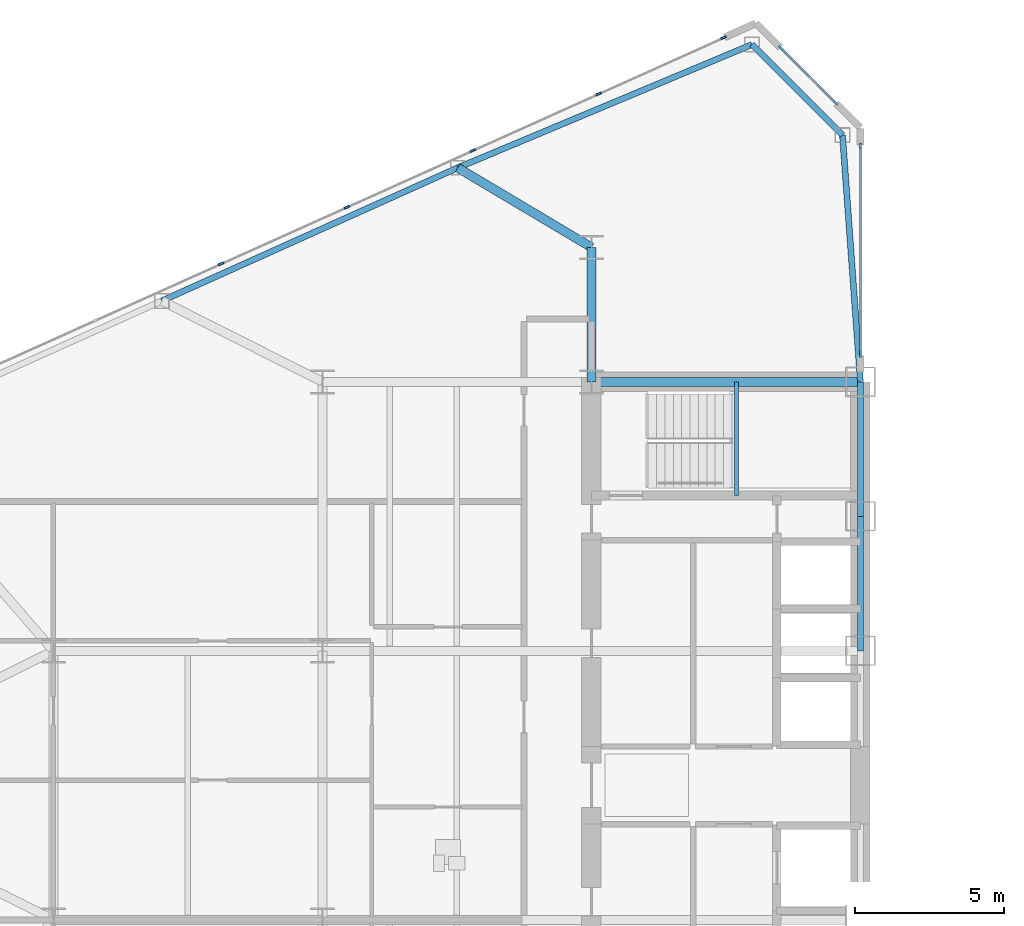
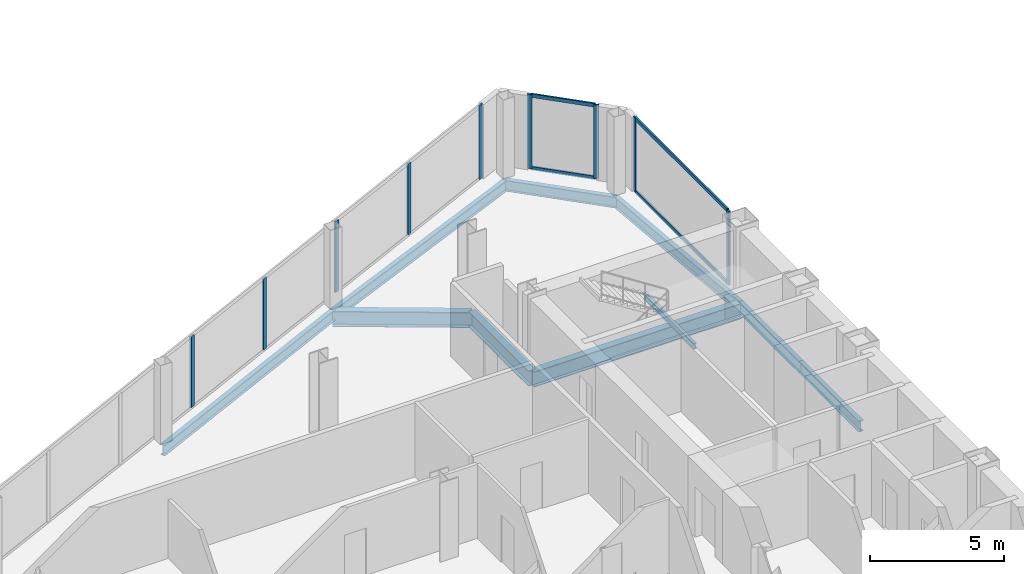
# One storey, part 9 of 27: 13 members, 10 beams, 3 elements without a shape of their own.
"""IFC4 building model written with IfcOpenShell, lengths in metres."""

from ifc_helpers import new_model, si_unit, direction, frame, origin, origin_2d, place, context, subcontext, project, spatial, rectangle, i_section, extrude, source, transform, mapped, material, layer, layer_set, material_profile, profile_set, type_object, type_shapes, element, aggregate, save


model = new_model("IFC4")

# Units and contexts
model_context = context("Model", 3, precision=1e-05, world=origin(), true_north=direction((0.0, 1.0)))
body_context = subcontext(model_context, "Body", "Model", "MODEL_VIEW")
ifc_project = project(units=[si_unit("LENGTHUNIT", "METRE"), si_unit("AREAUNIT", "SQUARE_METRE"), si_unit("VOLUMEUNIT", "CUBIC_METRE"), si_unit("PLANEANGLEUNIT", "RADIAN"), si_unit("MASSUNIT", "GRAM", prefix="KILO")], contexts=[model_context])

# Site, building, storey
site_placement = place(None, origin())
site = spatial("IfcSite", under=ifc_project, at=site_placement, CompositionType="ELEMENT")
building_placement = place(site_placement, origin())
building = spatial("IfcBuilding", under=site, at=building_placement, Name="Seokmaru Belvedere", CompositionType="ELEMENT")
storey_placement = place(building_placement, frame((0.0, 0.0, 65.699951171875)))
storey = spatial("IfcBuildingStorey", under=building, at=storey_placement, Name="L17", CompositionType="ELEMENT", Elevation=65.699951171875)

# Beams
ifc_material_1 = material(Name="Steel SM355 (355 MPa)", Category="steel")
ifc_material_profile_1 = material_profile(ifc_material_1, i_section(OverallWidth=0.199951171875, OverallDepth=0.5, WebThickness=0.010009765625, FlangeThickness=0.01611328125, at=origin_2d()), Name="H-500x200x10x16")
ifc_profile_set_1 = profile_set([ifc_material_profile_1], Name="Steel SM355 (355 MPa)")
beam_type_1 = type_object("IfcBeamType", Name="Perimeter Spandrel Beam H-500", PredefinedType="SPANDREL", material=ifc_profile_set_1)
shared_shape_1 = source(origin(), body_context, "Body", "SweptSolid", [
    extrude(i_section(OverallWidth=0.199951171875, OverallDepth=0.5, WebThickness=0.010009765625, FlangeThickness=0.01611328125, at=origin_2d()), origin(), (0.0, 0.0, 1.0), 4.5),
])
for number, where, z_axis, x_axis, name in (
    (1, (-27.5, 4.5, -0.469970703125), (0.0, 1.0, 0.0), (-1.0, 0.0, 0.0), "L17 W Portal Spine Spandrel 4"),
    (2, (-27.5, 9.0, -0.469970703125), (0.0, 1.0, 0.0), (-1.0, 0.0, 0.0), "L17 W Portal Spine Spandrel 5"),
):
    element("IfcBeam", number, at=place(storey_placement, frame(where, z_axis=z_axis, x_axis=x_axis)), inside=storey, type_object=beam_type_1, Name=name, PredefinedType="SPANDREL", context=body_context, shape_type="MappedRepresentation", body=[
        mapped(shared_shape_1, transform((0.0, 0.0, 0.0), scale=1.0)),
    ])
ifc_material_profile_2 = material_profile(ifc_material_1, i_section(OverallWidth=0.300048828125, OverallDepth=0.699951171875, WebThickness=0.012939453125, FlangeThickness=0.02392578125, at=origin_2d()), Name="H-700x300x13x24")
ifc_profile_set_2 = profile_set([ifc_material_profile_2], Name="Steel SM355 (355 MPa)")
beam_type_2 = type_object("IfcBeamType", Name="Primary Floor Girder H-700", PredefinedType="BEAM", material=ifc_profile_set_2)
shared_shape_2 = source(origin(), body_context, "Body", "SweptSolid", [
    extrude(i_section(OverallWidth=0.300048828125, OverallDepth=0.699951171875, WebThickness=0.012939453125, FlangeThickness=0.02392578125, at=origin_2d()), origin(), (0.0, 0.0, 1.0), 4.5),
])
beam_1_placement = place(storey_placement, frame((-36.5, 13.5, -0.570068359375), z_axis=(0.0, 1.0, 0.0), x_axis=(-1.0, 0.0, 0.0)))
element("IfcBeam", 3, at=beam_1_placement, inside=storey, type_object=beam_type_2, Name="L17 W Core Shoulder Girder N", PredefinedType="BEAM", context=body_context, shape_type="MappedRepresentation", body=[
    mapped(shared_shape_2, transform((0.0, 0.0, 0.0), scale=1.0)),
])
shared_shape_3 = source(origin(), body_context, "Body", "SweptSolid", [
    extrude(i_section(OverallWidth=0.300048828125, OverallDepth=0.699951171875, WebThickness=0.012939453125, FlangeThickness=0.02392578125, at=origin_2d()), origin(), (0.0, 0.0, 1.0), 9.0),
])
beam_2_placement = place(storey_placement, frame((-36.5, 13.5, -0.570068359375), z_axis=(1.0, 0.0, 0.0), x_axis=(0.0, 1.0, 0.0)))
element("IfcBeam", 4, at=beam_2_placement, inside=storey, type_object=beam_type_2, Name="L17 W Core Tie Girder 4", PredefinedType="BEAM", context=body_context, shape_type="MappedRepresentation", body=[
    mapped(shared_shape_3, transform((0.0, 0.0, 0.0), scale=1.0)),
])
shared_shape_4 = source(origin(), body_context, "Body", "SweptSolid", [
    extrude(i_section(OverallWidth=0.199951171875, OverallDepth=0.5, WebThickness=0.010009765625, FlangeThickness=0.01611328125, at=origin_2d()), origin(), (0.0, 0.0, 1.0), 10.66943359375),
])
beam_3_placement = place(storey_placement, frame((-31.13134765625, 24.782958984375, -0.469970703125), z_axis=(-0.922375393128, -0.386294750355, 0.0), x_axis=(0.386294750355, -0.922375393128, 0.0)))
element("IfcBeam", 5, at=beam_3_placement, inside=storey, type_object=beam_type_1, Name="L17 W Faceted Flank Spandrel N-1", PredefinedType="SPANDREL", context=body_context, shape_type="MappedRepresentation", body=[
    mapped(shared_shape_4, transform((0.0, 0.0, 0.0), scale=1.0)),
])
shared_shape_5 = source(origin(), body_context, "Body", "SweptSolid", [
    extrude(i_section(OverallWidth=0.199951171875, OverallDepth=0.5, WebThickness=0.010009765625, FlangeThickness=0.01611328125, at=origin_2d()), origin(), (0.0, 0.0, 1.0), 10.85888671875),
])
beam_4_placement = place(storey_placement, frame((-40.97265625, 20.661376953125, -0.469970703125), z_axis=(-0.911921505175, -0.410364677329, 0.0), x_axis=(0.410364677329, -0.911921505175, 0.0)))
element("IfcBeam", 6, at=beam_4_placement, inside=storey, type_object=beam_type_1, Name="L17 W Faceted Flank Spandrel N-2", PredefinedType="SPANDREL", context=body_context, shape_type="MappedRepresentation", body=[
    mapped(shared_shape_5, transform((0.0, 0.0, 0.0), scale=1.0)),
])
shared_shape_6 = source(origin(), body_context, "Body", "SweptSolid", [
    extrude(i_section(OverallWidth=0.199951171875, OverallDepth=0.5, WebThickness=0.010009765625, FlangeThickness=0.01611328125, at=origin_2d()), origin(), (0.0, 0.0, 1.0), 4.287109375),
])
beam_5_placement = place(storey_placement, frame((-31.13134765625, 24.782958984375, -0.469970703125), z_axis=(0.707078306132, -0.707135255094, 0.0), x_axis=(0.707135255094, 0.707078306132, 0.0)))
element("IfcBeam", 7, at=beam_5_placement, inside=storey, type_object=beam_type_1, Name="L17 W Shoulder Chamfer Spandrel N", PredefinedType="SPANDREL", context=body_context, shape_type="MappedRepresentation", body=[
    mapped(shared_shape_6, transform((0.0, 0.0, 0.0), scale=1.0)),
])
shared_shape_7 = source(origin(), body_context, "Body", "SweptSolid", [
    extrude(i_section(OverallWidth=0.199951171875, OverallDepth=0.5, WebThickness=0.010009765625, FlangeThickness=0.01611328125, at=origin_2d()), origin(), (0.0, 0.0, 1.0), 8.273193359375),
])
type_shapes(beam_type_1, [shared_shape_1, shared_shape_4, shared_shape_5, shared_shape_6, shared_shape_7])
beam_6_placement = place(storey_placement, frame((-28.10009765625, 21.75146484375, -0.469970703125), z_axis=(0.072534628348, -0.99736589459, 0.0), x_axis=(0.99736589459, 0.072534628348, 0.0)))
element("IfcBeam", 8, at=beam_6_placement, inside=storey, type_object=beam_type_1, Name="L17 W Shoulder Spine Spandrel N", PredefinedType="SPANDREL", context=body_context, shape_type="MappedRepresentation", body=[
    mapped(shared_shape_7, transform((0.0, 0.0, 0.0), scale=1.0)),
])
shared_shape_8 = source(origin(), body_context, "Body", "SweptSolid", [
    extrude(i_section(OverallWidth=0.300048828125, OverallDepth=0.699951171875, WebThickness=0.012939453125, FlangeThickness=0.02392578125, at=origin_2d()), origin(), (0.0, 0.0, 1.0), 5.20458984375),
])
type_shapes(beam_type_2, [shared_shape_2, shared_shape_3, shared_shape_8])
beam_7_placement = place(storey_placement, frame((-40.97265625, 20.661376953125, -0.570068359375), z_axis=(0.859370434188, -0.511353553662, 0.0), x_axis=(0.511353553662, 0.859370434188, 0.0)))
element("IfcBeam", 9, at=beam_7_placement, inside=storey, type_object=beam_type_2, Name="L17 W Flank Radial Floor Girder N-1", PredefinedType="BEAM", context=body_context, shape_type="MappedRepresentation", body=[
    mapped(shared_shape_8, transform((0.0, 0.0, 0.0), scale=1.0)),
])

# Curtain wall, members
ifc_material_2 = material(Name="Bronze Triple Insulating Glass", Category="glass")
ifc_layer = layer(ifc_material_2, 0.195068359375)
ifc_layer_set = layer_set([ifc_layer], Name="Bronze Triple Insulating Glass")
curtain_wall_type = type_object("IfcCurtainWallType", Name="Lower-Mid Tapered Curtain Wall System CW-3", PredefinedType="NOTDEFINED", material=ifc_layer_set)
curtain_wall_1_placement = place(storey_placement, origin())
curtain_wall_1 = element("IfcCurtainWall", 10, at=curtain_wall_1_placement, inside=storey, type_object=curtain_wall_type, Name="L17 Curtain Wall WSP_2", PredefinedType="NOTDEFINED")
ifc_material_3 = material(Name="Anodised Bronze Aluminium", Category="aluminium")
ifc_material_profile_3 = material_profile(ifc_material_3, rectangle(XDim=0.070068359375, YDim=0.1650390625, at=origin_2d()), Name="CW-T-70x165")
ifc_profile_set_3 = profile_set([ifc_material_profile_3], Name="Anodised Bronze Aluminium")
member_type_1 = type_object("IfcMemberType", Name="Bronze Unitised Transom 70x165", PredefinedType="USERDEFINED", material=ifc_profile_set_3)
shared_shape_9 = source(origin(), body_context, "Body", "SweptSolid", [
    extrude(rectangle(XDim=0.070068359375, YDim=0.1650390625, at=origin_2d()), origin(), (0.0, 0.0, 1.0), 6.91015625),
])
member_1_placement = place(storey_placement, frame((-27.5, 14.449951171875, 0.03515625), z_axis=(0.0, 1.0, 0.0), x_axis=(-1.0, 0.0, 0.0)))
member_1 = element("IfcMember", 11, at=member_1_placement, type_object=member_type_1, Name="CW:L17:WSP_2 Continuous Transom 1", ObjectType="TRANSOM", PredefinedType="USERDEFINED", context=body_context, shape_type="MappedRepresentation", body=[
    mapped(shared_shape_9, transform((0.0, 0.0, 0.0), scale=1.0)),
])
member_2_placement = place(storey_placement, frame((-27.5, 14.449951171875, 3.344970703125), z_axis=(0.0, 1.0, 0.0), x_axis=(-1.0, 0.0, 0.0)))
member_2 = element("IfcMember", 12, at=member_2_placement, type_object=member_type_1, Name="CW:L17:WSP_2 Continuous Transom 2", ObjectType="TRANSOM", PredefinedType="USERDEFINED", context=body_context, shape_type="MappedRepresentation", body=[
    mapped(shared_shape_9, transform((0.0, 0.0, 0.0), scale=1.0)),
])

curtain_wall_2_placement = place(storey_placement, origin())
curtain_wall_2 = element("IfcCurtainWall", 13, at=curtain_wall_2_placement, inside=storey, type_object=curtain_wall_type, Name="L17 Curtain Wall WF2", PredefinedType="NOTDEFINED")
shared_shape_10 = source(origin(), body_context, "Body", "SweptSolid", [
    extrude(rectangle(XDim=0.070068359375, YDim=0.1650390625, at=origin_2d()), origin(), (0.0, 0.0, 1.0), 2.509521484375),
])
type_shapes(member_type_1, [shared_shape_9, shared_shape_10])
member_3_placement = place(storey_placement, frame((-28.36279296875, 22.86279296875, 0.03515625), z_axis=(-0.707106781187, 0.707106781187, 0.0), x_axis=(-0.707106781187, -0.707106781187, 0.0)))
member_3 = element("IfcMember", 14, at=member_3_placement, type_object=member_type_1, Name="CW:L17:WF2 Continuous Transom 1", ObjectType="TRANSOM", PredefinedType="USERDEFINED", context=body_context, shape_type="MappedRepresentation", body=[
    mapped(shared_shape_10, transform((0.0, 0.0, 0.0), scale=1.0)),
])
member_4_placement = place(storey_placement, frame((-28.36279296875, 22.86279296875, 3.344970703125), z_axis=(-0.707106781187, 0.707106781187, 0.0), x_axis=(-0.707106781187, -0.707106781187, 0.0)))
member_4 = element("IfcMember", 15, at=member_4_placement, type_object=member_type_1, Name="CW:L17:WF2 Continuous Transom 2", ObjectType="TRANSOM", PredefinedType="USERDEFINED", context=body_context, shape_type="MappedRepresentation", body=[
    mapped(shared_shape_10, transform((0.0, 0.0, 0.0), scale=1.0)),
])

curtain_wall_3_placement = place(storey_placement, origin())
curtain_wall_3 = element("IfcCurtainWall", 16, at=curtain_wall_3_placement, inside=storey, type_object=curtain_wall_type, Name="L17 Curtain Wall WF3", PredefinedType="NOTDEFINED")
ifc_material_profile_4 = material_profile(ifc_material_3, rectangle(XDim=0.070068359375, YDim=0.195068359375, at=origin_2d()), Name="CW-M-70x195")
ifc_profile_set_4 = profile_set([ifc_material_profile_4], Name="Anodised Bronze Aluminium")
member_type_2 = type_object("IfcMemberType", Name="Bronze Unitised Mullion 70x195", PredefinedType="MULLION", material=ifc_profile_set_4)
shared_shape_11 = source(origin(), body_context, "Body", "SweptSolid", [
    extrude(rectangle(XDim=0.070068359375, YDim=0.195068359375, at=origin_2d()), origin(), (0.0, 0.0, 1.0), 3.239990234375),
])
member_5_placement = place(storey_placement, frame((-36.260009765625, 23.133056640625, 0.070068359375), z_axis=(0.0, 0.0, 1.0), x_axis=(0.41036554765, -0.91192111353, 0.0)))
member_5 = element("IfcMember", 17, at=member_5_placement, type_object=member_type_2, Name="CW:L17:WF3 Mullion 2", PredefinedType="MULLION", context=body_context, shape_type="MappedRepresentation", body=[
    mapped(shared_shape_11, transform((0.0, 0.0, 0.0), scale=1.0)),
])
member_6_placement = place(storey_placement, frame((-40.471435546875, 21.23779296875, 0.070068359375), z_axis=(0.0, 0.0, 1.0), x_axis=(0.41036554765, -0.91192111353, 0.0)))
member_6 = element("IfcMember", 18, at=member_6_placement, type_object=member_type_2, Name="CW:L17:WF3 Mullion 3", PredefinedType="MULLION", context=body_context, shape_type="MappedRepresentation", body=[
    mapped(shared_shape_11, transform((0.0, 0.0, 0.0), scale=1.0)),
])
member_7_placement = place(storey_placement, frame((-44.682861328125, 19.3427734375, 0.070068359375), z_axis=(0.0, 0.0, 1.0), x_axis=(0.41036554765, -0.91192111353, 0.0)))
member_7 = element("IfcMember", 19, at=member_7_placement, type_object=member_type_2, Name="CW:L17:WF3 Mullion 4", PredefinedType="MULLION", context=body_context, shape_type="MappedRepresentation", body=[
    mapped(shared_shape_11, transform((0.0, 0.0, 0.0), scale=1.0)),
])
member_8_placement = place(storey_placement, frame((-48.894287109375, 17.447509765625, 0.070068359375), z_axis=(0.0, 0.0, 1.0), x_axis=(0.41036554765, -0.91192111353, 0.0)))
member_8 = element("IfcMember", 20, at=member_8_placement, type_object=member_type_2, Name="CW:L17:WF3 Mullion 5", PredefinedType="MULLION", context=body_context, shape_type="MappedRepresentation", body=[
    mapped(shared_shape_11, transform((0.0, 0.0, 0.0), scale=1.0)),
])

# Member
shared_shape_12 = source(origin(), body_context, "Body", "SweptSolid", [
    extrude(rectangle(XDim=0.070068359375, YDim=0.195068359375, at=origin_2d()), origin(), (0.0, 0.0, 1.0), 3.380126953125),
])
type_shapes(member_type_2, [shared_shape_11, shared_shape_12])
member_9_placement = place(storey_placement, frame((-27.5, 14.4150390625, 0.0), z_axis=(0.0, 0.0, 1.0), x_axis=(-1.0, 0.0, 0.0)))
member_9 = element("IfcMember", 21, at=member_9_placement, type_object=member_type_2, Name="CW:L17:WSP_2 Mullion 1", PredefinedType="MULLION", context=body_context, shape_type="MappedRepresentation", body=[
    mapped(shared_shape_12, transform((0.0, 0.0, 0.0), scale=1.0)),
])

member_10_placement = place(storey_placement, frame((-27.5, 21.39501953125, 0.0), z_axis=(0.0, 0.0, 1.0), x_axis=(-1.0, 0.0, 0.0)))
member_10 = element("IfcMember", 22, at=member_10_placement, type_object=member_type_2, Name="CW:L17:WSP_2 Mullion 2", PredefinedType="MULLION", context=body_context, shape_type="MappedRepresentation", body=[
    mapped(shared_shape_12, transform((0.0, 0.0, 0.0), scale=1.0)),
])

aggregate(curtain_wall_1, [member_9, member_10, member_1, member_2])

member_11_placement = place(storey_placement, frame((-28.337890625, 22.837890625, 0.0), z_axis=(0.0, 0.0, 1.0), x_axis=(-0.707106781187, -0.707106781187, 0.0)))
member_11 = element("IfcMember", 23, at=member_11_placement, type_object=member_type_2, Name="CW:L17:WF2 Mullion 1", PredefinedType="MULLION", context=body_context, shape_type="MappedRepresentation", body=[
    mapped(shared_shape_12, transform((0.0, 0.0, 0.0), scale=1.0)),
])

member_12_placement = place(storey_placement, frame((-30.162109375, 24.662109375, 0.0), z_axis=(0.0, 0.0, 1.0), x_axis=(-0.707106781187, -0.707106781187, 0.0)))
member_12 = element("IfcMember", 24, at=member_12_placement, type_object=member_type_2, Name="CW:L17:WF2 Mullion 2", PredefinedType="MULLION", context=body_context, shape_type="MappedRepresentation", body=[
    mapped(shared_shape_12, transform((0.0, 0.0, 0.0), scale=1.0)),
])

aggregate(curtain_wall_2, [member_11, member_12, member_3, member_4])

member_13_placement = place(storey_placement, frame((-32.08056640625, 25.013671875, 0.0), z_axis=(0.0, 0.0, 1.0), x_axis=(0.41036554765, -0.91192111353, 0.0)))
member_13 = element("IfcMember", 25, at=member_13_placement, type_object=member_type_2, Name="CW:L17:WF3 Mullion 1", PredefinedType="MULLION", context=body_context, shape_type="MappedRepresentation", body=[
    mapped(shared_shape_12, transform((0.0, 0.0, 0.0), scale=1.0)),
])

aggregate(curtain_wall_3, [member_13, member_5, member_6, member_7, member_8])

# Beam
ifc_material_profile_5 = material_profile(ifc_material_1, i_section(OverallWidth=0.125, OverallDepth=0.25, WebThickness=0.006103515625, FlangeThickness=0.009033203125, at=origin_2d()), Name="H-250x125x6x9")
ifc_profile_set_5 = profile_set([ifc_material_profile_5], Name="Steel SM355 (355 MPa)")
beam_type_3 = type_object("IfcBeamType", Name="Stair Mid-Landing Support Beam H-250", PredefinedType="JOIST", material=ifc_profile_set_5)
shared_shape_13 = source(origin(), body_context, "Body", "SweptSolid", [
    extrude(i_section(OverallWidth=0.125, OverallDepth=0.25, WebThickness=0.006103515625, FlangeThickness=0.009033203125, at=origin_2d()), origin(), (0.0, 0.0, 1.0), 3.800048828125),
])
type_shapes(beam_type_3, [shared_shape_13])
beam_8_placement = place(storey_placement, frame((-31.64990234375, 9.699951171875, 1.47509765625), z_axis=(0.0, 1.0, 0.0), x_axis=(-1.0, 0.0, 0.0)))
element("IfcBeam", 26, at=beam_8_placement, inside=storey, type_object=beam_type_3, Name="L17 Stair ST-W2 Mid-Landing Support Beam 1", PredefinedType="JOIST", context=body_context, shape_type="MappedRepresentation", body=[
    mapped(shared_shape_13, transform((0.0, 0.0, 0.0), scale=1.0)),
])

save(model, "model.ifc")
